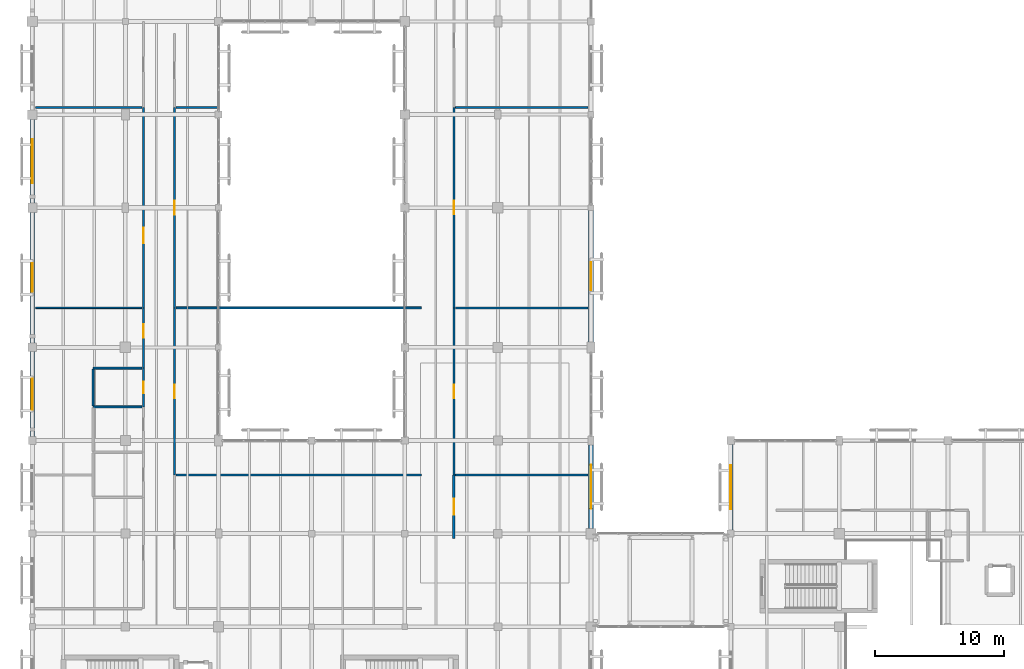
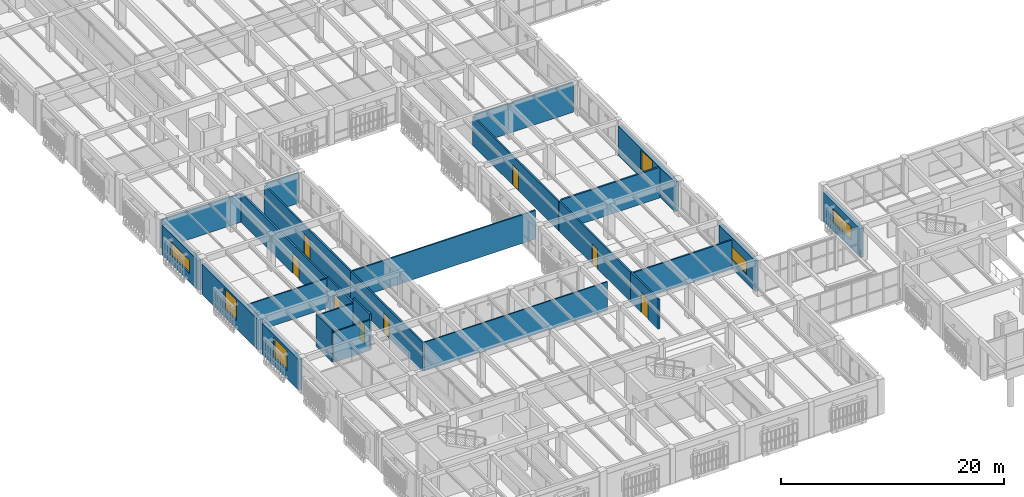
# One storey, part 130 of 170: 25 walls, 8 doors, 6 windows, 14 openings.
"""IFC4 building model written with IfcOpenShell, lengths in metres."""

from ifc_helpers import new_model, si_unit, direction, frame, frame_2d, origin, place, context, subcontext, project, spatial, rectangle, extrude, material, layer, layer_set, type_object, element, fill, save


model = new_model("IFC4")

# Units and contexts
model_context = context("Model", 3, precision=1e-05, world=origin(), true_north=direction((0.0, 1.0)))
body_context = subcontext(model_context, "Body", "Model", "MODEL_VIEW")
ifc_project = project(units=[si_unit("LENGTHUNIT", "METRE"), si_unit("AREAUNIT", "SQUARE_METRE"), si_unit("VOLUMEUNIT", "CUBIC_METRE"), si_unit("PLANEANGLEUNIT", "RADIAN"), si_unit("MASSUNIT", "GRAM", prefix="KILO")], contexts=[model_context])

# Site, building, storey
site_placement = place(None, origin())
site = spatial("IfcSite", under=ifc_project, at=site_placement, CompositionType="ELEMENT")
building_placement = place(site_placement, origin())
building = spatial("IfcBuilding", under=site, at=building_placement, Name="Mazaris Harbour Polytechnic", CompositionType="ELEMENT")
storey_placement = place(building_placement, frame((0.0, 0.0, 5.39990234375)))
storey = spatial("IfcBuildingStorey", under=building, at=storey_placement, Name="L01", CompositionType="ELEMENT", Elevation=5.39990234375)

# Walls
ifc_material_1 = material(Name="Gypsum Board and Mineral Wool")
ifc_layer_1 = layer(ifc_material_1, 0.1201171875, Name="Gypsum Board and Mineral Wool")
ifc_layer_set_1 = layer_set([ifc_layer_1], Name="Gypsum Board and Mineral Wool")
wall_type_1 = type_object("IfcWallType", Name="Acoustic Stud Partition 120", PredefinedType="PARTITIONING", material=ifc_layer_set_1)
wall_1_placement = place(storey_placement, frame((0.25, 46.25, 0.0), z_axis=(0.0, 0.0, 1.0), x_axis=(1.0, 0.0, 0.0)))
element("IfcWall", 1, at=wall_1_placement, inside=storey, type_object=wall_type_1, Name="V4 L01 Partition 336", PredefinedType="PARTITIONING", context=body_context, shape_type="SweptSolid", body=[
    extrude(rectangle(XDim=8.22998046875, YDim=0.1201171875, at=frame_2d((4.114990234375, 0.0))), origin(), (0.0, 0.0, 1.0), 3.25),
])
wall_2_placement = place(storey_placement, frame((11.1201171875, 33.3330078125, 0.0), z_axis=(0.0, 0.0, 1.0), x_axis=(1.0, 0.0, 0.0)))
element("IfcWall", 2, at=wall_2_placement, inside=storey, type_object=wall_type_1, Name="V4 L01 Partition 347", PredefinedType="PARTITIONING", context=body_context, shape_type="SweptSolid", body=[
    extrude(rectangle(XDim=18.9599609375, YDim=0.1201171875, at=frame_2d((9.47998046875, 0.0))), origin(), (0.0, 0.0, 1.0), 3.150146484375),
])
wall_3_placement = place(storey_placement, frame((32.719970703125, 61.75, 0.0), z_axis=(0.0, 0.0, 1.0), x_axis=(1.0, 0.0, 0.0)))
element("IfcWall", 3, at=wall_3_placement, inside=storey, type_object=wall_type_1, Name="V4 L01 Partition 363", PredefinedType="PARTITIONING", context=body_context, shape_type="SweptSolid", body=[
    extrude(rectangle(XDim=10.22998046875, YDim=0.1201171875, at=frame_2d((5.114990234375, 0.0))), origin(), (0.0, 0.0, 1.0), 3.25),
])
ifc_material_2 = material(Name="Double Gypsum and Mineral Wool")
ifc_layer_2 = layer(ifc_material_2, 0.14990234375, Name="Double Gypsum and Mineral Wool")
ifc_layer_set_2 = layer_set([ifc_layer_2], Name="Double Gypsum and Mineral Wool")
wall_type_2 = type_object("IfcWallType", Name="Classroom Acoustic Partition 150", PredefinedType="PARTITIONING", material=ifc_layer_set_2)
wall_4_placement = place(storey_placement, frame((0.25, 61.75, 0.0), z_axis=(0.0, 0.0, 1.0), x_axis=(1.0, 0.0, 0.0)))
element("IfcWall", 4, at=wall_4_placement, inside=storey, type_object=wall_type_2, Name="V4 L01 Partition 338", PredefinedType="PARTITIONING", context=body_context, shape_type="SweptSolid", body=[
    extrude(rectangle(XDim=8.22998046875, YDim=0.14990234375, at=frame_2d((4.114990234375, 0.0))), origin(), (0.0, 0.0, 1.0), 3.150146484375),
])
wall_5_placement = place(storey_placement, frame((11.1201171875, 46.25, 0.0), z_axis=(0.0, 0.0, 1.0), x_axis=(1.0, 0.0, 0.0)))
element("IfcWall", 5, at=wall_5_placement, inside=storey, type_object=wall_type_2, Name="V4 L01 Partition 349", PredefinedType="PARTITIONING", context=body_context, shape_type="SweptSolid", body=[
    extrude(rectangle(XDim=18.9599609375, YDim=0.14990234375, at=frame_2d((9.47998046875, 0.0))), origin(), (0.0, 0.0, 1.0), 3.150146484375),
])
wall_6_placement = place(storey_placement, frame((32.719970703125, 33.3330078125, 0.0), z_axis=(0.0, 0.0, 1.0), x_axis=(1.0, 0.0, 0.0)))
element("IfcWall", 6, at=wall_6_placement, inside=storey, type_object=wall_type_2, Name="V4 L01 Partition 359", PredefinedType="PARTITIONING", context=body_context, shape_type="SweptSolid", body=[
    extrude(rectangle(XDim=10.22998046875, YDim=0.14990234375, at=frame_2d((5.114990234375, 0.0))), origin(), (0.0, 0.0, 1.0), 3.210205078125),
])

# Wall, opening, door
ifc_material_3 = material(Name="Terracotta Block and Plaster", Category="masonry")
ifc_layer_3 = layer(ifc_material_3, 0.179931640625, Name="Terracotta Block and Plaster")
ifc_layer_set_3 = layer_set([ifc_layer_3], Name="Terracotta Block and Plaster")
wall_type_3 = type_object("IfcWallType", Name="Corridor Fire Partition 180", PredefinedType="PARTITIONING", material=ifc_layer_set_3)
wall_7_placement = place(storey_placement, frame((8.60009765625, 46.2548828125, 0.0), z_axis=(0.0, 0.0, 1.0), x_axis=(0.0, 1.0, 0.0)))
wall_7 = element("IfcWall", 7, at=wall_7_placement, inside=storey, type_object=wall_type_3, Name="V4 L01 Partition 337", PredefinedType="PARTITIONING", context=body_context, shape_type="SweptSolid", body=[
    extrude(rectangle(XDim=15.4951171875, YDim=0.179931640625, at=frame_2d((7.74755859375, 0.0))), origin(), (0.0, 0.0, 1.0), 3.150146484375),
])
opening_1_placement = place(wall_7_placement, frame((4.99609375, 0.0, 0.0)))
opening_1 = element("IfcOpeningElement", 8, at=opening_1_placement, cuts=wall_7, Name="Opening ID-10L", PredefinedType="OPENING", context=body_context, shape_type="SweptSolid", body=[
    extrude(rectangle(XDim=1.219970703125, YDim=2.25, at=frame_2d((0.60986328125, 1.125))), frame((0.0, 0.099853515625, 0.0), z_axis=(0.0, -1.0, 0.0), x_axis=(1.0, 0.0, 0.0)), (0.0, 0.0, 1.0), 0.199951171875),
])
ifc_material_4 = material(Name="Glulam Timber and Glass", Category="wood")
door_type_1 = type_object("IfcDoorType", Name="Library Commons Door LH 1220x2250", OperationType="SINGLE_SWING_LEFT", PredefinedType="DOOR", material=ifc_material_4)
door_1_placement = place(opening_1_placement, origin())
door_1 = element("IfcDoor", 9, at=door_1_placement, inside=storey, type_object=door_type_1, Name="ID-0156", OperationType="SINGLE_SWING_LEFT", OverallHeight=2.25, OverallWidth=1.219970703125, PredefinedType="DOOR", context=body_context, shape_type="SweptSolid", body=[
    extrude(rectangle(XDim=1.219970703125, YDim=2.25, at=frame_2d((0.60986328125, 1.125))), frame((0.0, 0.02490234375, 0.0), z_axis=(0.0, -1.0, 0.0), x_axis=(1.0, 0.0, 0.0)), (0.0, 0.0, 1.0), 0.050048828125),
])
fill(opening_1, door_1)

wall_8_placement = place(storey_placement, frame((32.60009765625, 28.419921875, 0.0), z_axis=(0.0, 0.0, 1.0), x_axis=(0.0, 1.0, 0.0)))
wall_8 = element("IfcWall", 10, at=wall_8_placement, inside=storey, type_object=wall_type_3, Name="V4 L01 Partition 358", PredefinedType="PARTITIONING", context=body_context, shape_type="SweptSolid", body=[
    extrude(rectangle(XDim=4.9130859375, YDim=0.179931640625, at=frame_2d((2.45654296875, 0.0))), origin(), (0.0, 0.0, 1.0), 3.31005859375),
])
opening_2_placement = place(wall_8_placement, frame((1.846435546875, 0.0, 0.0)))
opening_2 = element("IfcOpeningElement", 11, at=opening_2_placement, cuts=wall_8, Name="Opening ID-10L", PredefinedType="OPENING", context=body_context, shape_type="SweptSolid", body=[
    extrude(rectangle(XDim=1.219970703125, YDim=2.25, at=frame_2d((0.60986328125, 1.125))), frame((0.0, 0.099853515625, 0.0), z_axis=(0.0, -1.0, 0.0), x_axis=(1.0, 0.0, 0.0)), (0.0, 0.0, 1.0), 0.199951171875),
])
door_2_placement = place(opening_2_placement, origin())
door_2 = element("IfcDoor", 12, at=door_2_placement, inside=storey, type_object=door_type_1, Name="ID-0168", OperationType="SINGLE_SWING_LEFT", OverallHeight=2.25, OverallWidth=1.219970703125, PredefinedType="DOOR", context=body_context, shape_type="SweptSolid", body=[
    extrude(rectangle(XDim=1.219970703125, YDim=2.25, at=frame_2d((0.60986328125, 1.125))), frame((0.0, 0.02490234375, 0.0), z_axis=(0.0, -1.0, 0.0), x_axis=(1.0, 0.0, 0.0)), (0.0, 0.0, 1.0), 0.050048828125),
])
fill(opening_2, door_2)

ifc_material_5 = material(Name="Fireboard and Mineral Wool")
ifc_layer_4 = layer(ifc_material_5, 0.1650390625, Name="Fireboard and Mineral Wool")
ifc_layer_set_4 = layer_set([ifc_layer_4], Name="Fireboard and Mineral Wool")
wall_type_4 = type_object("IfcWallType", Name="Laboratory Rated Partition 165", PredefinedType="PARTITIONING", material=ifc_layer_set_4)
wall_9_placement = place(storey_placement, frame((8.60009765625, 41.60498046875, 0.0), z_axis=(0.0, 0.0, 1.0), x_axis=(0.0, 1.0, 0.0)))
wall_9 = element("IfcWall", 13, at=wall_9_placement, inside=storey, type_object=wall_type_4, Name="V4 L01 Partition 335", PredefinedType="PARTITIONING", context=body_context, shape_type="SweptSolid", body=[
    extrude(rectangle(XDim=4.64501953125, YDim=0.1650390625, at=frame_2d((2.322509765625, 0.0))), origin(), (0.0, 0.0, 1.0), 3.3701171875),
])
opening_3_placement = place(wall_9_placement, frame((2.330322265625, 0.0, 0.0)))
opening_3 = element("IfcOpeningElement", 14, at=opening_3_placement, cuts=wall_9, Name="Opening ID-02R", PredefinedType="OPENING", context=body_context, shape_type="SweptSolid", body=[
    extrude(rectangle(XDim=1.06005859375, YDim=2.199951171875, at=frame_2d((0.530029296875, 1.10009765625))), frame((0.0, 0.092529296875, 0.0), z_axis=(0.0, -1.0, 0.0), x_axis=(1.0, 0.0, 0.0)), (0.0, 0.0, 1.0), 0.18505859375),
])
ifc_material_6 = material(Name="Solid Timber and Vision Panel", Category="wood")
door_type_2 = type_object("IfcDoorType", Name="Laboratory Fire Door RH 1060x2200", OperationType="SINGLE_SWING_RIGHT", PredefinedType="DOOR", material=ifc_material_6)
door_3_placement = place(opening_3_placement, origin())
door_3 = element("IfcDoor", 15, at=door_3_placement, inside=storey, type_object=door_type_2, Name="ID-0155", OperationType="SINGLE_SWING_RIGHT", OverallHeight=2.199951171875, OverallWidth=1.06005859375, PredefinedType="DOOR", context=body_context, shape_type="SweptSolid", body=[
    extrude(rectangle(XDim=1.06005859375, YDim=2.199951171875, at=frame_2d((0.530029296875, 1.10009765625))), frame((0.0, 0.02490234375, 0.0), z_axis=(0.0, -1.0, 0.0), x_axis=(1.0, 0.0, 0.0)), (0.0, 0.0, 1.0), 0.050048828125),
])
fill(opening_3, door_3)

wall_10_placement = place(storey_placement, frame((11.0, 33.337890625, 0.0), z_axis=(0.0, 0.0, 1.0), x_axis=(0.0, 1.0, 0.0)))
wall_10 = element("IfcWall", 16, at=wall_10_placement, inside=storey, type_object=wall_type_4, Name="V4 L01 Partition 348", PredefinedType="PARTITIONING", context=body_context, shape_type="SweptSolid", body=[
    extrude(rectangle(XDim=12.912109375, YDim=0.1650390625, at=frame_2d((6.4560546875, 0.0))), origin(), (0.0, 0.0, 1.0), 3.150146484375),
])
opening_4_placement = place(wall_10_placement, frame((5.930908203125, 0.0, 0.0)))
opening_4 = element("IfcOpeningElement", 17, at=opening_4_placement, cuts=wall_10, Name="Opening ID-02L", PredefinedType="OPENING", context=body_context, shape_type="SweptSolid", body=[
    extrude(rectangle(XDim=1.050048828125, YDim=2.199951171875, at=frame_2d((0.52490234375, 1.10009765625))), frame((0.0, 0.092529296875, 0.0), z_axis=(0.0, -1.0, 0.0), x_axis=(1.0, 0.0, 0.0)), (0.0, 0.0, 1.0), 0.18505859375),
])
ifc_material_7 = material(Name="Solid Timber and Vision Panel", Category="wood")
door_type_3 = type_object("IfcDoorType", Name="Laboratory Fire Door LH 1050x2200", OperationType="SINGLE_SWING_LEFT", PredefinedType="DOOR", material=ifc_material_7)
door_4_placement = place(opening_4_placement, origin())
door_4 = element("IfcDoor", 18, at=door_4_placement, inside=storey, type_object=door_type_3, Name="ID-0162", OperationType="SINGLE_SWING_LEFT", OverallHeight=2.199951171875, OverallWidth=1.050048828125, PredefinedType="DOOR", context=body_context, shape_type="SweptSolid", body=[
    extrude(rectangle(XDim=1.050048828125, YDim=2.199951171875, at=frame_2d((0.52490234375, 1.10009765625))), frame((0.0, 0.02490234375, 0.0), z_axis=(0.0, -1.0, 0.0), x_axis=(1.0, 0.0, 0.0)), (0.0, 0.0, 1.0), 0.050048828125),
])
fill(opening_4, door_4)

wall_11_placement = place(storey_placement, frame((11.0, 46.2548828125, 0.0), z_axis=(0.0, 0.0, 1.0), x_axis=(0.0, 1.0, 0.0)))
wall_11 = element("IfcWall", 19, at=wall_11_placement, inside=storey, type_object=wall_type_4, Name="V4 L01 Partition 350", PredefinedType="PARTITIONING", context=body_context, shape_type="SweptSolid", body=[
    extrude(rectangle(XDim=15.4951171875, YDim=0.1650390625, at=frame_2d((7.74755859375, 0.0))), origin(), (0.0, 0.0, 1.0), 3.150146484375),
])
opening_5_placement = place(wall_11_placement, frame((7.217529296875, 0.0, 0.0)))
opening_5 = element("IfcOpeningElement", 20, at=opening_5_placement, cuts=wall_11, Name="Opening ID-02R", PredefinedType="OPENING", context=body_context, shape_type="SweptSolid", body=[
    extrude(rectangle(XDim=1.06005859375, YDim=2.199951171875, at=frame_2d((0.530029296875, 1.10009765625))), frame((0.0, 0.092529296875, 0.0), z_axis=(0.0, -1.0, 0.0), x_axis=(1.0, 0.0, 0.0)), (0.0, 0.0, 1.0), 0.18505859375),
])
door_5_placement = place(opening_5_placement, origin())
door_5 = element("IfcDoor", 21, at=door_5_placement, inside=storey, type_object=door_type_2, Name="ID-0163", OperationType="SINGLE_SWING_RIGHT", OverallHeight=2.199951171875, OverallWidth=1.06005859375, PredefinedType="DOOR", context=body_context, shape_type="SweptSolid", body=[
    extrude(rectangle(XDim=1.06005859375, YDim=2.199951171875, at=frame_2d((0.530029296875, 1.10009765625))), frame((0.0, 0.02490234375, 0.0), z_axis=(0.0, -1.0, 0.0), x_axis=(1.0, 0.0, 0.0)), (0.0, 0.0, 1.0), 0.050048828125),
])
fill(opening_5, door_5)

# Wall
wall_12_placement = place(storey_placement, frame((11.1201171875, 61.75, 0.0), z_axis=(0.0, 0.0, 1.0), x_axis=(1.0, 0.0, 0.0)))
element("IfcWall", 22, at=wall_12_placement, inside=storey, type_object=wall_type_4, Name="V4 L01 Partition 351", PredefinedType="PARTITIONING", context=body_context, shape_type="SweptSolid", body=[
    extrude(rectangle(XDim=3.35986328125, YDim=0.1650390625, at=frame_2d((1.679931640625, 0.0))), origin(), (0.0, 0.0, 1.0), 3.31005859375),
])

# Wall, opening, door
wall_13_placement = place(storey_placement, frame((32.60009765625, 33.337890625, 0.0), z_axis=(0.0, 0.0, 1.0), x_axis=(0.0, 1.0, 0.0)))
wall_13 = element("IfcWall", 23, at=wall_13_placement, inside=storey, type_object=wall_type_4, Name="V4 L01 Partition 360", PredefinedType="PARTITIONING", context=body_context, shape_type="SweptSolid", body=[
    extrude(rectangle(XDim=12.912109375, YDim=0.1650390625, at=frame_2d((6.4560546875, 0.0))), origin(), (0.0, 0.0, 1.0), 3.25),
])
opening_6_placement = place(wall_13_placement, frame((5.926025390625, 0.0, 0.0)))
opening_6 = element("IfcOpeningElement", 24, at=opening_6_placement, cuts=wall_13, Name="Opening ID-02R", PredefinedType="OPENING", context=body_context, shape_type="SweptSolid", body=[
    extrude(rectangle(XDim=1.06005859375, YDim=2.199951171875, at=frame_2d((0.530029296875, 1.10009765625))), frame((0.0, 0.092529296875, 0.0), z_axis=(0.0, -1.0, 0.0), x_axis=(1.0, 0.0, 0.0)), (0.0, 0.0, 1.0), 0.18505859375),
])
door_6_placement = place(opening_6_placement, origin())
door_6 = element("IfcDoor", 25, at=door_6_placement, inside=storey, type_object=door_type_2, Name="ID-0169", OperationType="SINGLE_SWING_RIGHT", OverallHeight=2.199951171875, OverallWidth=1.06005859375, PredefinedType="DOOR", context=body_context, shape_type="SweptSolid", body=[
    extrude(rectangle(XDim=1.06005859375, YDim=2.199951171875, at=frame_2d((0.530029296875, 1.10009765625))), frame((0.0, 0.02490234375, 0.0), z_axis=(0.0, -1.0, 0.0), x_axis=(1.0, 0.0, 0.0)), (0.0, 0.0, 1.0), 0.050048828125),
])
fill(opening_6, door_6)

# Wall
wall_14_placement = place(storey_placement, frame((32.719970703125, 46.25, 0.0), z_axis=(0.0, 0.0, 1.0), x_axis=(1.0, 0.0, 0.0)))
element("IfcWall", 26, at=wall_14_placement, inside=storey, type_object=wall_type_4, Name="V4 L01 Partition 361", PredefinedType="PARTITIONING", context=body_context, shape_type="SweptSolid", body=[
    extrude(rectangle(XDim=10.22998046875, YDim=0.1650390625, at=frame_2d((5.114990234375, 0.0))), origin(), (0.0, 0.0, 1.0), 3.3701171875),
])

# Wall, opening, door
wall_15_placement = place(storey_placement, frame((32.60009765625, 46.2548828125, 0.0), z_axis=(0.0, 0.0, 1.0), x_axis=(0.0, 1.0, 0.0)))
wall_15 = element("IfcWall", 27, at=wall_15_placement, inside=storey, type_object=wall_type_4, Name="V4 L01 Partition 362", PredefinedType="PARTITIONING", context=body_context, shape_type="SweptSolid", body=[
    extrude(rectangle(XDim=15.4951171875, YDim=0.1650390625, at=frame_2d((7.74755859375, 0.0))), origin(), (0.0, 0.0, 1.0), 3.150146484375),
])
opening_7_placement = place(wall_15_placement, frame((7.222412109375, 0.0, 0.0)))
opening_7 = element("IfcOpeningElement", 28, at=opening_7_placement, cuts=wall_15, Name="Opening ID-02L", PredefinedType="OPENING", context=body_context, shape_type="SweptSolid", body=[
    extrude(rectangle(XDim=1.050048828125, YDim=2.199951171875, at=frame_2d((0.52490234375, 1.10009765625))), frame((0.0, 0.092529296875, 0.0), z_axis=(0.0, -1.0, 0.0), x_axis=(1.0, 0.0, 0.0)), (0.0, 0.0, 1.0), 0.18505859375),
])
door_7_placement = place(opening_7_placement, origin())
door_7 = element("IfcDoor", 29, at=door_7_placement, inside=storey, type_object=door_type_3, Name="ID-0170", OperationType="SINGLE_SWING_LEFT", OverallHeight=2.199951171875, OverallWidth=1.050048828125, PredefinedType="DOOR", context=body_context, shape_type="SweptSolid", body=[
    extrude(rectangle(XDim=1.050048828125, YDim=2.199951171875, at=frame_2d((0.52490234375, 1.10009765625))), frame((0.0, 0.02490234375, 0.0), z_axis=(0.0, -1.0, 0.0), x_axis=(1.0, 0.0, 0.0)), (0.0, 0.0, 1.0), 0.050048828125),
])
fill(opening_7, door_7)

ifc_material_8 = material(Name="Moisture-Resistant Blockwork", Category="masonry")
ifc_layer_5 = layer(ifc_material_8, 0.175048828125, Name="Moisture-Resistant Blockwork")
ifc_layer_set_5 = layer_set([ifc_layer_5], Name="Moisture-Resistant Blockwork")
wall_type_5 = type_object("IfcWallType", Name="Laboratory Wet Service Wall 175", PredefinedType="PLUMBINGWALL", material=ifc_layer_set_5)
wall_16_placement = place(storey_placement, frame((8.60009765625, 38.60498046875, 0.0), z_axis=(0.0, 0.0, 1.0), x_axis=(0.0, 1.0, 0.0)))
wall_16 = element("IfcWall", 30, at=wall_16_placement, inside=storey, type_object=wall_type_5, Name="V4 L01 Partition 328", PredefinedType="PLUMBINGWALL", context=body_context, shape_type="SweptSolid", body=[
    extrude(rectangle(XDim=2.9951171875, YDim=0.175048828125, at=frame_2d((1.49755859375, 0.0))), origin(), (0.0, 0.0, 1.0), 3.89013671875),
])
opening_8_placement = place(wall_16_placement, frame((1.03759765625, 0.0, 0.0)))
opening_8 = element("IfcOpeningElement", 31, at=opening_8_placement, cuts=wall_16, Name="Opening ID-07L", PredefinedType="OPENING", context=body_context, shape_type="SweptSolid", body=[
    extrude(rectangle(XDim=0.919921875, YDim=2.10009765625, at=frame_2d((0.4599609375, 1.050048828125))), frame((0.0, 0.097412109375, 0.0), z_axis=(0.0, -1.0, 0.0), x_axis=(1.0, 0.0, 0.0)), (0.0, 0.0, 1.0), 0.195068359375),
])
ifc_material_9 = material(Name="Moisture-Resistant Laminate Timber", Category="wood")
door_type_4 = type_object("IfcDoorType", Name="Accessible Toilet Door LH 920x2100", OperationType="SINGLE_SWING_LEFT", PredefinedType="DOOR", material=ifc_material_9)
door_8_placement = place(opening_8_placement, origin())
door_8 = element("IfcDoor", 32, at=door_8_placement, inside=storey, type_object=door_type_4, Name="ID-0152", OperationType="SINGLE_SWING_LEFT", OverallHeight=2.10009765625, OverallWidth=0.919921875, PredefinedType="DOOR", context=body_context, shape_type="SweptSolid", body=[
    extrude(rectangle(XDim=0.919921875, YDim=2.10009765625, at=frame_2d((0.4599609375, 1.050048828125))), frame((0.0, 0.02490234375, 0.0), z_axis=(0.0, -1.0, 0.0), x_axis=(1.0, 0.0, 0.0)), (0.0, 0.0, 1.0), 0.050048828125),
])
fill(opening_8, door_8)

# Wall, opening, window
ifc_material_10 = material(Name="Algerian Buff Limestone and Concrete C30/37", Category="masonry")
ifc_layer_6 = layer(ifc_material_10, 0.360107421875, Name="Algerian Buff Limestone and Concrete C30/37")
ifc_layer_set_6 = layer_set([ifc_layer_6], Name="Algerian Buff Limestone and Concrete C30/37")
wall_type_6 = type_object("IfcWallType", Name="Limestone Ashlar Exterior Wall 360", PredefinedType="STANDARD", material=ifc_layer_set_6)
wall_17_placement = place(storey_placement, frame((0.0, 36.2919921875, 0.0), z_axis=(0.0, 0.0, 1.0), x_axis=(0.0, 1.0, 0.0)))
wall_17 = element("IfcWall", 33, at=wall_17_placement, inside=storey, type_object=wall_type_6, Name="V4 L01 Exterior Wall 174", PredefinedType="STANDARD", context=body_context, shape_type="SweptSolid", body=[
    extrude(rectangle(XDim=6.591064453125, YDim=0.360107421875, at=frame_2d((3.29541015625, 0.0))), origin(), (0.0, 0.0, 1.0), 3.3701171875),
])
opening_9_placement = place(wall_17_placement, frame((2.095458984375, 0.0, 0.89990234375)))
opening_9 = element("IfcOpeningElement", 34, at=opening_9_placement, cuts=wall_17, Name="Opening WN-07", PredefinedType="OPENING", context=body_context, shape_type="SweptSolid", body=[
    extrude(rectangle(XDim=2.39990234375, YDim=2.199951171875, at=frame_2d((1.199951171875, 1.10009765625))), frame((0.0, 0.18994140625, 0.0), z_axis=(0.0, -1.0, 0.0), x_axis=(1.0, 0.0, 0.0)), (0.0, 0.0, 1.0), 0.380126953125),
])
ifc_material_11 = material(Name="Thermally Broken Bronze Aluminium and Low-E Glass", Category="aluminium")
window_type_1 = type_object("IfcWindowType", Name="Laboratory Paired Window 2400x2200", PartitioningType="DOUBLE_PANEL_VERTICAL", PredefinedType="WINDOW", material=ifc_material_11)
window_1_placement = place(opening_9_placement, origin())
window_1 = element("IfcWindow", 35, at=window_1_placement, inside=storey, type_object=window_type_1, Name="WN-0176", OverallHeight=2.199951171875, OverallWidth=2.39990234375, PartitioningType="DOUBLE_PANEL_VERTICAL", PredefinedType="WINDOW", context=body_context, shape_type="SweptSolid", body=[
    extrude(rectangle(XDim=2.39990234375, YDim=2.199951171875, at=frame_2d((1.199951171875, 1.10009765625))), frame((0.0, 0.030029296875, 0.0), z_axis=(0.0, -1.0, 0.0), x_axis=(1.0, 0.0, 0.0)), (0.0, 0.0, 1.0), 0.06005859375),
])
fill(opening_9, window_1)

wall_18_placement = place(storey_placement, frame((0.0, 43.51708984375, 0.0), z_axis=(0.0, 0.0, 1.0), x_axis=(0.0, 1.0, 0.0)))
wall_18 = element("IfcWall", 36, at=wall_18_placement, inside=storey, type_object=wall_type_6, Name="V4 L01 Exterior Wall 175", PredefinedType="STANDARD", context=body_context, shape_type="SweptSolid", body=[
    extrude(rectangle(XDim=10.140869140625, YDim=0.360107421875, at=frame_2d((5.0703125, 0.0))), origin(), (0.0, 0.0, 1.0), 3.31005859375),
])
opening_10_placement = place(wall_18_placement, frame((3.970458984375, 0.0, 0.89990234375)))
opening_10 = element("IfcOpeningElement", 37, at=opening_10_placement, cuts=wall_18, Name="Opening WN-06", PredefinedType="OPENING", context=body_context, shape_type="SweptSolid", body=[
    extrude(rectangle(XDim=2.199951171875, YDim=2.199951171875, at=frame_2d((1.10009765625, 1.10009765625))), frame((0.0, 0.18994140625, 0.0), z_axis=(0.0, -1.0, 0.0), x_axis=(1.0, 0.0, 0.0)), (0.0, 0.0, 1.0), 0.380126953125),
])
ifc_material_12 = material(Name="Thermally Broken Bronze Aluminium and Low-E Glass", Category="aluminium")
window_type_2 = type_object("IfcWindowType", Name="Laboratory Paired Window 2200x2200", PartitioningType="DOUBLE_PANEL_VERTICAL", PredefinedType="WINDOW", material=ifc_material_12)
window_2_placement = place(opening_10_placement, origin())
window_2 = element("IfcWindow", 38, at=window_2_placement, inside=storey, type_object=window_type_2, Name="WN-0177", OverallHeight=2.199951171875, OverallWidth=2.199951171875, PartitioningType="DOUBLE_PANEL_VERTICAL", PredefinedType="WINDOW", context=body_context, shape_type="SweptSolid", body=[
    extrude(rectangle(XDim=2.199951171875, YDim=2.199951171875, at=frame_2d((1.10009765625, 1.10009765625))), frame((0.0, 0.030029296875, 0.0), z_axis=(0.0, -1.0, 0.0), x_axis=(1.0, 0.0, 0.0)), (0.0, 0.0, 1.0), 0.06005859375),
])
fill(opening_10, window_2)

wall_19_placement = place(storey_placement, frame((0.0, 54.342041015625, 0.0), z_axis=(0.0, 0.0, 1.0), x_axis=(0.0, 1.0, 0.0)))
wall_19 = element("IfcWall", 39, at=wall_19_placement, inside=storey, type_object=wall_type_6, Name="V4 L01 Exterior Wall 176", PredefinedType="STANDARD", context=body_context, shape_type="SweptSolid", body=[
    extrude(rectangle(XDim=6.490966796875, YDim=0.360107421875, at=frame_2d((3.24560546875, 0.0))), origin(), (0.0, 0.0, 1.0), 3.25),
])
opening_11_placement = place(wall_19_placement, frame((1.54541015625, 0.0, 0.89990234375)))
opening_11 = element("IfcOpeningElement", 40, at=opening_11_placement, cuts=wall_19, Name="Opening WN-16", PredefinedType="OPENING", context=body_context, shape_type="SweptSolid", body=[
    extrude(rectangle(XDim=3.39990234375, YDim=1.5, at=frame_2d((1.699951171875, 0.75))), frame((0.0, 0.18994140625, 0.0), z_axis=(0.0, -1.0, 0.0), x_axis=(1.0, 0.0, 0.0)), (0.0, 0.0, 1.0), 0.380126953125),
])
ifc_material_13 = material(Name="Thermally Broken Bronze Aluminium and Low-E Glass", Category="aluminium")
window_type_3 = type_object("IfcWindowType", Name="Workshop Clerestory Ribbon 3400x1500", PartitioningType="DOUBLE_PANEL_VERTICAL", PredefinedType="WINDOW", material=ifc_material_13)
window_3_placement = place(opening_11_placement, origin())
window_3 = element("IfcWindow", 41, at=window_3_placement, inside=storey, type_object=window_type_3, Name="WN-0178", OverallHeight=1.5, OverallWidth=3.39990234375, PartitioningType="DOUBLE_PANEL_VERTICAL", PredefinedType="WINDOW", context=body_context, shape_type="SweptSolid", body=[
    extrude(rectangle(XDim=3.39990234375, YDim=1.5, at=frame_2d((1.699951171875, 0.75))), frame((0.0, 0.030029296875, 0.0), z_axis=(0.0, -1.0, 0.0), x_axis=(1.0, 0.0, 0.0)), (0.0, 0.0, 1.0), 0.06005859375),
])
fill(opening_11, window_3)

wall_20_placement = place(storey_placement, frame((43.199951171875, 35.657958984375, 0.0), z_axis=(0.0, 0.0, 1.0), x_axis=(0.0, -1.0, 0.0)))
wall_20 = element("IfcWall", 42, at=wall_20_placement, inside=storey, type_object=wall_type_6, Name="V4 L01 Exterior Wall 183", PredefinedType="STANDARD", context=body_context, shape_type="SweptSolid", body=[
    extrude(rectangle(XDim=6.466064453125, YDim=0.360107421875, at=frame_2d((3.23291015625, 0.0))), origin(), (0.0, 0.0, 1.0), 3.3701171875),
])
opening_12_placement = place(wall_20_placement, frame((1.532958984375, 0.0, 0.89990234375)))
opening_12 = element("IfcOpeningElement", 43, at=opening_12_placement, cuts=wall_20, Name="Opening WN-16", PredefinedType="OPENING", context=body_context, shape_type="SweptSolid", body=[
    extrude(rectangle(XDim=3.39990234375, YDim=1.5, at=frame_2d((1.699951171875, 0.75))), frame((0.0, 0.18994140625, 0.0), z_axis=(0.0, -1.0, 0.0), x_axis=(1.0, 0.0, 0.0)), (0.0, 0.0, 1.0), 0.380126953125),
])
window_4_placement = place(opening_12_placement, origin())
window_4 = element("IfcWindow", 44, at=window_4_placement, inside=storey, type_object=window_type_3, Name="WN-0185", OverallHeight=1.5, OverallWidth=3.39990234375, PartitioningType="DOUBLE_PANEL_VERTICAL", PredefinedType="WINDOW", context=body_context, shape_type="SweptSolid", body=[
    extrude(rectangle(XDim=3.39990234375, YDim=1.5, at=frame_2d((1.699951171875, 0.75))), frame((0.0, 0.030029296875, 0.0), z_axis=(0.0, -1.0, 0.0), x_axis=(1.0, 0.0, 0.0)), (0.0, 0.0, 1.0), 0.06005859375),
])
fill(opening_12, window_4)

wall_21_placement = place(storey_placement, frame((43.199951171875, 53.782958984375, 0.0), z_axis=(0.0, 0.0, 1.0), x_axis=(0.0, -1.0, 0.0)))
wall_21 = element("IfcWall", 45, at=wall_21_placement, inside=storey, type_object=wall_type_6, Name="V4 L01 Exterior Wall 184", PredefinedType="STANDARD", context=body_context, shape_type="SweptSolid", body=[
    extrude(rectangle(XDim=10.166015625, YDim=0.360107421875, at=frame_2d((5.0830078125, 0.0))), origin(), (0.0, 0.0, 1.0), 3.25),
])
opening_13_placement = place(wall_21_placement, frame((3.98291015625, 0.0, 0.89990234375)))
opening_13 = element("IfcOpeningElement", 46, at=opening_13_placement, cuts=wall_21, Name="Opening WN-06", PredefinedType="OPENING", context=body_context, shape_type="SweptSolid", body=[
    extrude(rectangle(XDim=2.199951171875, YDim=2.199951171875, at=frame_2d((1.10009765625, 1.10009765625))), frame((0.0, 0.18994140625, 0.0), z_axis=(0.0, -1.0, 0.0), x_axis=(1.0, 0.0, 0.0)), (0.0, 0.0, 1.0), 0.380126953125),
])
window_5_placement = place(opening_13_placement, origin())
window_5 = element("IfcWindow", 47, at=window_5_placement, inside=storey, type_object=window_type_2, Name="WN-0186", OverallHeight=2.199951171875, OverallWidth=2.199951171875, PartitioningType="DOUBLE_PANEL_VERTICAL", PredefinedType="WINDOW", context=body_context, shape_type="SweptSolid", body=[
    extrude(rectangle(XDim=2.199951171875, YDim=2.199951171875, at=frame_2d((1.10009765625, 1.10009765625))), frame((0.0, 0.030029296875, 0.0), z_axis=(0.0, -1.0, 0.0), x_axis=(1.0, 0.0, 0.0)), (0.0, 0.0, 1.0), 0.06005859375),
])
fill(opening_13, window_5)

ifc_material_14 = material(Name="Algerian Buff Limestone and Mineral Wool", Category="masonry")
ifc_layer_7 = layer(ifc_material_14, 0.330078125, Name="Algerian Buff Limestone and Mineral Wool")
ifc_layer_set_7 = layer_set([ifc_layer_7], Name="Algerian Buff Limestone and Mineral Wool")
wall_type_7 = type_object("IfcWallType", Name="Limestone Cavity Wall 330", PredefinedType="STANDARD", material=ifc_layer_set_7)
wall_22_placement = place(storey_placement, frame((54.0, 29.06689453125, 0.0), z_axis=(0.0, 0.0, 1.0), x_axis=(0.0, 1.0, 0.0)))
wall_22 = element("IfcWall", 48, at=wall_22_placement, inside=storey, type_object=wall_type_7, Name="V3 L01 Exterior Wall 113", PredefinedType="STANDARD", context=body_context, shape_type="SweptSolid", body=[
    extrude(rectangle(XDim=6.64111328125, YDim=0.330078125, at=frame_2d((3.320556640625, 0.0))), origin(), (0.0, 0.0, 1.0), 3.18017578125),
])
opening_14_placement = place(wall_22_placement, frame((1.62060546875, 0.0, 0.89990234375)))
opening_14 = element("IfcOpeningElement", 49, at=opening_14_placement, cuts=wall_22, Name="Opening WN-16", PredefinedType="OPENING", context=body_context, shape_type="SweptSolid", body=[
    extrude(rectangle(XDim=3.39990234375, YDim=1.5, at=frame_2d((1.699951171875, 0.75))), frame((0.0, 0.175048828125, 0.0), z_axis=(0.0, -1.0, 0.0), x_axis=(1.0, 0.0, 0.0)), (0.0, 0.0, 1.0), 0.35009765625),
])
window_6_placement = place(opening_14_placement, origin())
window_6 = element("IfcWindow", 50, at=window_6_placement, inside=storey, type_object=window_type_3, Name="WN-0120", OverallHeight=1.5, OverallWidth=3.39990234375, PartitioningType="DOUBLE_PANEL_VERTICAL", PredefinedType="WINDOW", context=body_context, shape_type="SweptSolid", body=[
    extrude(rectangle(XDim=3.39990234375, YDim=1.5, at=frame_2d((1.699951171875, 0.75))), frame((0.0, 0.030029296875, 0.0), z_axis=(0.0, -1.0, 0.0), x_axis=(1.0, 0.0, 0.0)), (0.0, 0.0, 1.0), 0.06005859375),
])
fill(opening_14, window_6)

# Walls
ifc_material_15 = material(Name="Moisture-Resistant Gypsum and Steel Stud", Category="steel")
ifc_layer_8 = layer(ifc_material_15, 0.14501953125, Name="Moisture-Resistant Gypsum and Steel Stud")
ifc_layer_set_8 = layer_set([ifc_layer_8], Name="Moisture-Resistant Gypsum and Steel Stud")
wall_type_8 = type_object("IfcWallType", Name="Sanitary Plumbing Wall 145", PredefinedType="PLUMBINGWALL", material=ifc_layer_set_8)
for number, where, z_axis, x_axis, name in (
    (51, (4.699951171875, 38.60009765625, 0.0), (0.0, 0.0, 1.0), (1.0, 0.0, 0.0), "V4 L01 Partition 326"),
    (52, (4.699951171875, 41.60009765625, 0.0), (0.0, 0.0, 1.0), (1.0, 0.0, 0.0), "V4 L01 Partition 329"),
):
    element("IfcWall", number, at=place(storey_placement, frame(where, z_axis=z_axis, x_axis=x_axis)), inside=storey, type_object=wall_type_8, Name=name, PredefinedType="PLUMBINGWALL", context=body_context, shape_type="SweptSolid", body=[
        extrude(rectangle(XDim=3.780029296875, YDim=0.14501953125, at=frame_2d((1.89013671875, 0.0))), origin(), (0.0, 0.0, 1.0), 3.31005859375),
    ])
wall_23_placement = place(storey_placement, frame((4.699951171875, 38.6826171875, 0.0), z_axis=(0.0, 0.0, 1.0), x_axis=(0.0, 1.0, 0.0)))
element("IfcWall", 53, at=wall_23_placement, inside=storey, type_object=wall_type_8, Name="V4 L01 Partition 330", PredefinedType="PLUMBINGWALL", context=body_context, shape_type="SweptSolid", body=[
    extrude(rectangle(XDim=2.8349609375, YDim=0.14501953125, at=frame_2d((1.41748046875, 0.0))), origin(), (0.0, 0.0, 1.0), 3.530029296875),
])

save(model, "model.ifc")
